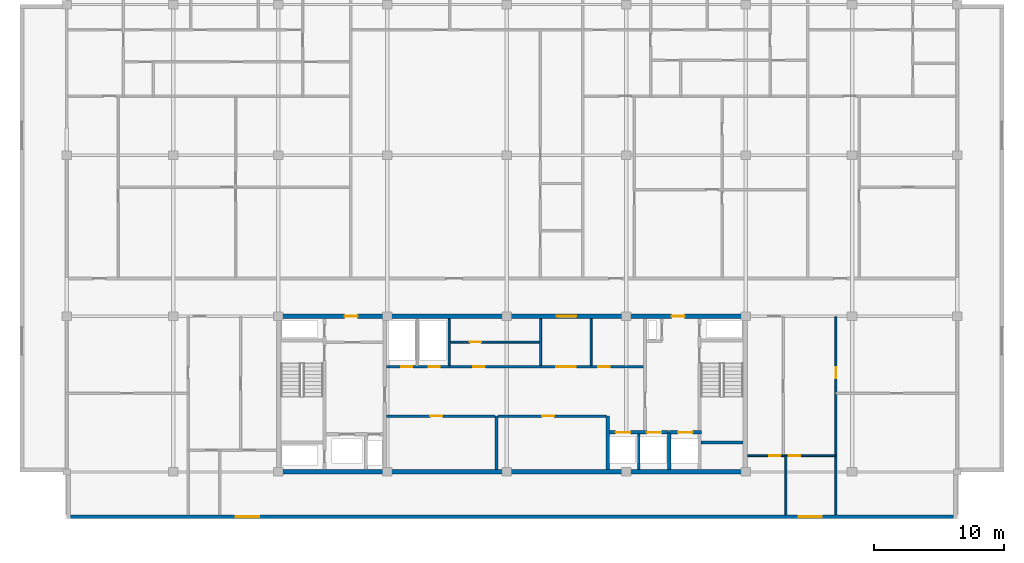
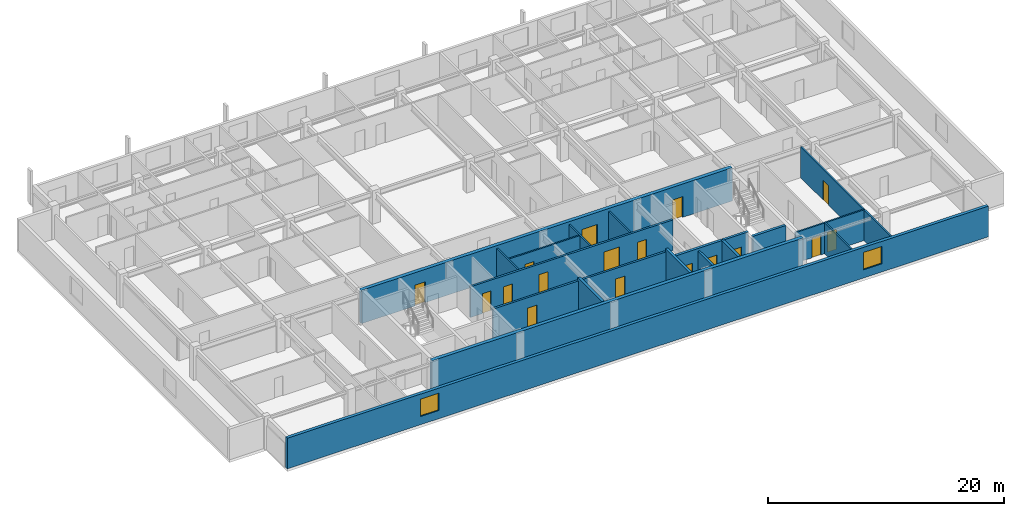
# One storey, part 4 of 10: 20 walls, 17 doors, 2 windows, 19 openings.
"""IFC4 building model written with IfcOpenShell, lengths in metres."""

from ifc_helpers import new_model, si_unit, direction, frame, frame_2d, origin, place, context, subcontext, project, spatial, rectangle, extrude, material, layer, layer_set, type_object, element, fill, save


model = new_model("IFC4")

# Units and contexts
model_context = context("Model", 3, precision=1e-05, world=origin(), true_north=direction((0.0, 1.0)))
body_context = subcontext(model_context, "Body", "Model", "MODEL_VIEW")
ifc_project = project(units=[si_unit("LENGTHUNIT", "METRE"), si_unit("AREAUNIT", "SQUARE_METRE"), si_unit("VOLUMEUNIT", "CUBIC_METRE"), si_unit("PLANEANGLEUNIT", "RADIAN"), si_unit("MASSUNIT", "GRAM", prefix="KILO")], contexts=[model_context])

# Site, building, storey
site_placement = place(None, origin())
site = spatial("IfcSite", under=ifc_project, at=site_placement, CompositionType="ELEMENT")
building_placement = place(site_placement, origin())
building = spatial("IfcBuilding", under=site, at=building_placement, Name="Korimba Cascade Residences", CompositionType="ELEMENT")
storey_placement = place(building_placement, frame((0.0, 0.0, 235.550048828125)))
storey = spatial("IfcBuildingStorey", under=building, at=storey_placement, Name="L68", CompositionType="ELEMENT", Elevation=235.550048828125)

# Wall, openings, windows
ifc_material_1 = material(Name="Precast concrete C40/50", Category="concrete")
ifc_layer_1 = layer(ifc_material_1, 0.300048828125)
ifc_layer_set_1 = layer_set([ifc_layer_1], Name="Precast concrete C40/50")
wall_type_1 = type_object("IfcWallType", Name="EW-STONE-300", PredefinedType="STANDARD", material=ifc_layer_set_1)
wall_1_placement = place(storey_placement, frame((59.800048828125, 51.75, 0.0), z_axis=(0.0, 0.0, 1.0), x_axis=(1.0, 0.0, 0.0)))
wall_1 = element("IfcWall", 1, at=wall_1_placement, inside=storey, type_object=wall_type_1, Name="L68 T1 Perimeter Stone Wall E00", PredefinedType="STANDARD", context=body_context, shape_type="SweptSolid", body=[
    extrude(rectangle(XDim=68.599853515625, YDim=0.300048828125, at=frame_2d((34.2998046875, 0.0))), origin(), (0.0, 0.0, 1.0), 3.169921875),
])
opening_1_placement = place(wall_1_placement, frame((13.02490234375, 0.0, 0.85009765625)))
opening_1 = element("IfcOpeningElement", 2, at=opening_1_placement, cuts=wall_1, Name="Opening W-02", PredefinedType="OPENING", context=body_context, shape_type="SweptSolid", body=[
    extrude(rectangle(XDim=1.800048828125, YDim=1.800048828125, at=frame_2d((0.89990234375, 0.89990234375))), frame((0.0, 0.16015625, 0.0), z_axis=(0.0, -1.0, 0.0), x_axis=(1.0, 0.0, 0.0)), (0.0, 0.0, 1.0), 0.320068359375),
])
opening_2_placement = place(wall_1_placement, frame((56.375, 0.0, 0.85009765625)))
opening_2 = element("IfcOpeningElement", 3, at=opening_2_placement, cuts=wall_1, Name="Opening W-02", PredefinedType="OPENING", context=body_context, shape_type="SweptSolid", body=[
    extrude(rectangle(XDim=1.800048828125, YDim=1.800048828125, at=frame_2d((0.89990234375, 0.89990234375))), frame((0.0, 0.16015625, 0.0), z_axis=(0.0, -1.0, 0.0), x_axis=(1.0, 0.0, 0.0)), (0.0, 0.0, 1.0), 0.320068359375),
])
ifc_material_2 = material(Name="Double-Glazed Aluminium Window", Category="aluminium")
window_type = type_object("IfcWindowType", Name="WIN-BED-1800", PartitioningType="SINGLE_PANEL", PredefinedType="WINDOW", material=ifc_material_2)
window_1_placement = place(opening_1_placement, origin())
window_1 = element("IfcWindow", 4, at=window_1_placement, inside=storey, type_object=window_type, Name="L68 T1 South Corner Bedroom Window 1", OverallHeight=1.800048828125, OverallWidth=1.800048828125, PartitioningType="SINGLE_PANEL", PredefinedType="WINDOW", context=body_context, shape_type="SweptSolid", body=[
    extrude(rectangle(XDim=1.800048828125, YDim=1.800048828125, at=frame_2d((0.89990234375, 0.89990234375))), frame((0.0, 0.030029296875, 0.0), z_axis=(0.0, -1.0, 0.0), x_axis=(1.0, 0.0, 0.0)), (0.0, 0.0, 1.0), 0.06005859375),
])
fill(opening_1, window_1)
window_2_placement = place(opening_2_placement, origin())
window_2 = element("IfcWindow", 5, at=window_2_placement, inside=storey, type_object=window_type, Name="L68 T1 South Corner Bedroom Window 2", OverallHeight=1.800048828125, OverallWidth=1.800048828125, PartitioningType="SINGLE_PANEL", PredefinedType="WINDOW", context=body_context, shape_type="SweptSolid", body=[
    extrude(rectangle(XDim=1.800048828125, YDim=1.800048828125, at=frame_2d((0.89990234375, 0.89990234375))), frame((0.0, 0.030029296875, 0.0), z_axis=(0.0, -1.0, 0.0), x_axis=(1.0, 0.0, 0.0)), (0.0, 0.0, 1.0), 0.06005859375),
])
fill(opening_2, window_2)

# Wall
ifc_material_3 = material(Name="Concrete C65/80", Category="concrete")
ifc_layer_2 = layer(ifc_material_3, 0.35009765625)
ifc_layer_set_2 = layer_set([ifc_layer_2], Name="Concrete C65/80")
wall_type_2 = type_object("IfcWallType", Name="WAL-CORE-350", PredefinedType="SHEAR", material=ifc_layer_set_2)
wall_2_placement = place(storey_placement, frame((75.949951171875, 55.199951171875, 0.0), z_axis=(0.0, 0.0, 1.0), x_axis=(1.0, 0.0, 0.0)))
element("IfcWall", 6, at=wall_2_placement, inside=storey, type_object=wall_type_2, Name="L68 Core Shear Wall CW-L68-T1-S", PredefinedType="SHEAR", context=body_context, shape_type="SweptSolid", body=[
    extrude(rectangle(XDim=36.300048828125, YDim=0.35009765625, at=frame_2d((18.14990234375, 0.0))), origin(), (0.0, 0.0, 1.0), 3.449951171875),
])

# Wall, openings, doors
wall_3_placement = place(storey_placement, frame((75.949951171875, 67.199951171875, 0.0), z_axis=(0.0, 0.0, 1.0), x_axis=(1.0, 0.0, 0.0)))
wall_3 = element("IfcWall", 7, at=wall_3_placement, inside=storey, type_object=wall_type_2, Name="L68 Core Shear Wall CW-L68-T1-N", PredefinedType="SHEAR", context=body_context, shape_type="SweptSolid", body=[
    extrude(rectangle(XDim=36.300048828125, YDim=0.35009765625, at=frame_2d((18.14990234375, 0.0))), origin(), (0.0, 0.0, 1.0), 3.449951171875),
])
opening_3_placement = place(wall_3_placement, frame((5.25, 0.0, 0.0)))
opening_3 = element("IfcOpeningElement", 8, at=opening_3_placement, cuts=wall_3, Name="Opening D-FD5", PredefinedType="OPENING", context=body_context, shape_type="SweptSolid", body=[
    extrude(rectangle(XDim=1.0, YDim=2.14990234375, at=frame_2d((0.5, 1.074951171875))), frame((0.0, 0.18505859375, 0.0), z_axis=(0.0, -1.0, 0.0), x_axis=(1.0, 0.0, 0.0)), (0.0, 0.0, 1.0), 0.3701171875),
])
opening_4_placement = place(wall_3_placement, frame((21.60009765625, 0.0, 0.0)))
opening_4 = element("IfcOpeningElement", 9, at=opening_4_placement, cuts=wall_3, Name="Opening D-FD8", PredefinedType="OPENING", context=body_context, shape_type="SweptSolid", body=[
    extrude(rectangle(XDim=1.5, YDim=2.199951171875, at=frame_2d((0.75, 1.10009765625))), frame((0.0, 0.18505859375, 0.0), z_axis=(0.0, -1.0, 0.0), x_axis=(1.0, 0.0, 0.0)), (0.0, 0.0, 1.0), 0.3701171875),
])
opening_5_placement = place(wall_3_placement, frame((30.449951171875, 0.0, 0.0)))
opening_5 = element("IfcOpeningElement", 10, at=opening_5_placement, cuts=wall_3, Name="Opening D-FD5", PredefinedType="OPENING", context=body_context, shape_type="SweptSolid", body=[
    extrude(rectangle(XDim=1.0, YDim=2.14990234375, at=frame_2d((0.5, 1.074951171875))), frame((0.0, 0.18505859375, 0.0), z_axis=(0.0, -1.0, 0.0), x_axis=(1.0, 0.0, 0.0)), (0.0, 0.0, 1.0), 0.3701171875),
])
ifc_material_4 = material(Name="Fire-Rated Acoustic Timber Vestibule Door", Category="wood")
door_type_1 = type_object("IfcDoorType", Name="DR-FD90-1000", OperationType="NOTDEFINED", PredefinedType="DOOR", material=ifc_material_4)
door_1_placement = place(opening_3_placement, origin())
door_1 = element("IfcDoor", 11, at=door_1_placement, inside=storey, type_object=door_type_1, Name="L68 T1 West Core Vestibule Fire Door", OperationType="SINGLE_SWING_RIGHT", OverallHeight=2.14990234375, OverallWidth=1.0, PredefinedType="DOOR", context=body_context, shape_type="SweptSolid", body=[
    extrude(rectangle(XDim=1.0, YDim=2.14990234375, at=frame_2d((0.5, 1.074951171875))), frame((0.0, 0.02490234375, 0.0), z_axis=(0.0, -1.0, 0.0), x_axis=(1.0, 0.0, 0.0)), (0.0, 0.0, 1.0), 0.050048828125),
])
fill(opening_3, door_1)
door_2_placement = place(opening_5_placement, origin())
door_2 = element("IfcDoor", 12, at=door_2_placement, inside=storey, type_object=door_type_1, Name="L68 T1 East Firefighting Vestibule Fire Door", OperationType="SINGLE_SWING_LEFT", OverallHeight=2.14990234375, OverallWidth=1.0, PredefinedType="DOOR", context=body_context, shape_type="SweptSolid", body=[
    extrude(rectangle(XDim=1.0, YDim=2.14990234375, at=frame_2d((0.5, 1.074951171875))), frame((0.0, 0.02490234375, 0.0), z_axis=(0.0, -1.0, 0.0), x_axis=(1.0, 0.0, 0.0)), (0.0, 0.0, 1.0), 0.050048828125),
])
fill(opening_5, door_2)
ifc_material_5 = material(Name="Fire-Rated Glazed Lift Lobby Double Door", Category="glass")
door_type_2 = type_object("IfcDoorType", Name="DR-FD90-1500", OperationType="NOTDEFINED", PredefinedType="DOOR", material=ifc_material_5)
door_3_placement = place(opening_4_placement, origin())
door_3 = element("IfcDoor", 13, at=door_3_placement, inside=storey, type_object=door_type_2, Name="L68 T1 Lift Lobby Fire Door", OperationType="DOUBLE_DOOR_SINGLE_SWING", OverallHeight=2.199951171875, OverallWidth=1.5, PredefinedType="DOOR", context=body_context, shape_type="SweptSolid", body=[
    extrude(rectangle(XDim=1.5, YDim=2.199951171875, at=frame_2d((0.75, 1.10009765625))), frame((0.0, 0.02490234375, 0.0), z_axis=(0.0, -1.0, 0.0), x_axis=(1.0, 0.0, 0.0)), (0.0, 0.0, 1.0), 0.050048828125),
])
fill(opening_4, door_3)

# Wall
ifc_material_6 = material(Name="Insulated Acoustic Stud Partition", Category="gypsum")
ifc_layer_3 = layer(ifc_material_6, 0.14990234375)
ifc_layer_set_3 = layer_set([ifc_layer_3], Name="Insulated Acoustic Stud Partition")
wall_type_3 = type_object("IfcWallType", Name="WAL-PART-150", PredefinedType="PARTITIONING", material=ifc_layer_set_3)
wall_4_placement = place(storey_placement, frame((89.25, 63.39990234375, 0.0), z_axis=(0.0, 0.0, 1.0), x_axis=(0.0, 1.0, 0.0)))
element("IfcWall", 14, at=wall_4_placement, inside=storey, type_object=wall_type_3, Name="L68 Partition Wall CW-L68-T1-PRDIV", PredefinedType="PARTITIONING", context=body_context, shape_type="SweptSolid", body=[
    extrude(rectangle(XDim=3.60009765625, YDim=0.14990234375, at=frame_2d((1.800048828125, 0.0))), origin(), (0.0, 0.0, 1.0), 3.169921875),
])

# Wall, opening, door
wall_5_placement = place(storey_placement, frame((89.25, 65.199951171875, 0.0), z_axis=(0.0, 0.0, 1.0), x_axis=(1.0, 0.0, 0.0)))
wall_5 = element("IfcWall", 15, at=wall_5_placement, inside=storey, type_object=wall_type_3, Name="L68 Partition Wall CW-L68-T1-CA2HZ", PredefinedType="PARTITIONING", context=body_context, shape_type="SweptSolid", body=[
    extrude(rectangle(XDim=7.050048828125, YDim=0.14990234375, at=frame_2d((3.52490234375, 0.0))), origin(), (0.0, 0.0, 1.0), 3.169921875),
])
opening_6_placement = place(wall_5_placement, frame((1.60009765625, 0.0, 0.0)))
opening_6 = element("IfcOpeningElement", 16, at=opening_6_placement, cuts=wall_5, Name="Opening D-IN2", PredefinedType="OPENING", context=body_context, shape_type="SweptSolid", body=[
    extrude(rectangle(XDim=0.8798828125, YDim=2.06005859375, at=frame_2d((0.43994140625, 1.030029296875))), frame((0.0, 0.0849609375, 0.0), z_axis=(0.0, -1.0, 0.0), x_axis=(1.0, 0.0, 0.0)), (0.0, 0.0, 1.0), 0.169921875),
])
ifc_material_7 = material(Name="Acoustic Timber Bedroom Door", Category="wood")
door_type_3 = type_object("IfcDoorType", Name="DR-INT-880", OperationType="NOTDEFINED", PredefinedType="DOOR", material=ifc_material_7)
door_4_placement = place(opening_6_placement, origin())
door_4 = element("IfcDoor", 17, at=door_4_placement, inside=storey, type_object=door_type_3, Name="L68 Pram Store Door", OperationType="SINGLE_SWING_RIGHT", OverallHeight=2.06005859375, OverallWidth=0.8798828125, PredefinedType="DOOR", context=body_context, shape_type="SweptSolid", body=[
    extrude(rectangle(XDim=0.8798828125, YDim=2.06005859375, at=frame_2d((0.43994140625, 1.030029296875))), frame((0.0, 0.02490234375, 0.0), z_axis=(0.0, -1.0, 0.0), x_axis=(1.0, 0.0, 0.0)), (0.0, 0.0, 1.0), 0.050048828125),
])
fill(opening_6, door_4)

# Walls
for number, where, z_axis, x_axis, name in (
    (18, (96.300048828125, 63.39990234375, 0.0), (0.0, 0.0, 1.0), (0.0, 1.0, 0.0), "L68 Partition Wall CW-L68-T1-THW"),
    (19, (100.199951171875, 63.39990234375, 0.0), (0.0, 0.0, 1.0), (0.0, 1.0, 0.0), "L68 Partition Wall CW-L68-T1-THE"),
):
    element("IfcWall", number, at=place(storey_placement, frame(where, z_axis=z_axis, x_axis=x_axis)), inside=storey, type_object=wall_type_3, Name=name, PredefinedType="PARTITIONING", context=body_context, shape_type="SweptSolid", body=[
        extrude(rectangle(XDim=3.60009765625, YDim=0.14990234375, at=frame_2d((1.800048828125, 0.0))), origin(), (0.0, 0.0, 1.0), 3.169921875),
    ])

# Wall, opening, door
wall_6_placement = place(storey_placement, frame((119.050048828125, 51.89990234375, 0.0), z_axis=(0.0, 0.0, 1.0), x_axis=(0.0, 1.0, 0.0)))
wall_6 = element("IfcWall", 20, at=wall_6_placement, inside=storey, type_object=wall_type_3, Name="L68 Partition Wall WAL-L68-T1-FE-STV", PredefinedType="PARTITIONING", context=body_context, shape_type="SweptSolid", body=[
    extrude(rectangle(XDim=15.25, YDim=0.14990234375, at=frame_2d((7.625, 0.0))), origin(), (0.0, 0.0, 1.0), 3.169921875),
])
opening_7_placement = place(wall_6_placement, frame((10.5, 0.0, 0.0)))
opening_7 = element("IfcOpeningElement", 21, at=opening_7_placement, cuts=wall_6, Name="Opening D-IN2", PredefinedType="OPENING", context=body_context, shape_type="SweptSolid", body=[
    extrude(rectangle(XDim=0.8798828125, YDim=2.06005859375, at=frame_2d((0.43994140625, 1.030029296875))), frame((0.0, 0.0849609375, 0.0), z_axis=(0.0, -1.0, 0.0), x_axis=(1.0, 0.0, 0.0)), (0.0, 0.0, 1.0), 0.169921875),
])
door_5_placement = place(opening_7_placement, origin())
door_5 = element("IfcDoor", 22, at=door_5_placement, inside=storey, type_object=door_type_3, Name="L68-T1-FE Study Door", OperationType="SINGLE_SWING_RIGHT", OverallHeight=2.06005859375, OverallWidth=0.8798828125, PredefinedType="DOOR", context=body_context, shape_type="SweptSolid", body=[
    extrude(rectangle(XDim=0.8798828125, YDim=2.06005859375, at=frame_2d((0.43994140625, 1.030029296875))), frame((0.0, 0.02490234375, 0.0), z_axis=(0.0, -1.0, 0.0), x_axis=(1.0, 0.0, 0.0)), (0.0, 0.0, 1.0), 0.050048828125),
])
fill(opening_7, door_5)

# Wall
wall_7_placement = place(storey_placement, frame((115.199951171875, 51.89990234375, 0.0), z_axis=(0.0, 0.0, 1.0), x_axis=(0.0, 1.0, 0.0)))
element("IfcWall", 23, at=wall_7_placement, inside=storey, type_object=wall_type_3, Name="L68 Partition Wall WAL-L68-T1-FE-VS", PredefinedType="PARTITIONING", context=body_context, shape_type="SweptSolid", body=[
    extrude(rectangle(XDim=4.550048828125, YDim=0.14990234375, at=frame_2d((2.27490234375, 0.0))), origin(), (0.0, 0.0, 1.0), 3.169921875),
])

# Wall, openings, doors
wall_8_placement = place(storey_placement, frame((112.27001953125, 56.449951171875, 0.0), z_axis=(0.0, 0.0, 1.0), x_axis=(1.0, 0.0, 0.0)))
wall_8 = element("IfcWall", 24, at=wall_8_placement, inside=storey, type_object=wall_type_3, Name="L68 Partition Wall WAL-L68-T1-FE-H", PredefinedType="PARTITIONING", context=body_context, shape_type="SweptSolid", body=[
    extrude(rectangle(XDim=6.760009765625, YDim=0.14990234375, at=frame_2d((3.3798828125, 0.0))), origin(), (0.0, 0.0, 1.0), 3.169921875),
])
opening_8_placement = place(wall_8_placement, frame((1.6396484375, 0.0, 0.0)))
opening_8 = element("IfcOpeningElement", 25, at=opening_8_placement, cuts=wall_8, Name="Opening D-BT1", PredefinedType="OPENING", context=body_context, shape_type="SweptSolid", body=[
    extrude(rectangle(XDim=0.840087890625, YDim=2.0400390625, at=frame_2d((0.419921875, 1.02001953125))), frame((0.0, 0.0849609375, 0.0), z_axis=(0.0, -1.0, 0.0), x_axis=(1.0, 0.0, 0.0)), (0.0, 0.0, 1.0), 0.169921875),
])
opening_9_placement = place(wall_8_placement, frame((3.160400390625, 0.0, 0.0)))
opening_9 = element("IfcOpeningElement", 26, at=opening_9_placement, cuts=wall_8, Name="Opening D-IN2", PredefinedType="OPENING", context=body_context, shape_type="SweptSolid", body=[
    extrude(rectangle(XDim=0.8798828125, YDim=2.06005859375, at=frame_2d((0.43994140625, 1.030029296875))), frame((0.0, 0.0849609375, 0.0), z_axis=(0.0, -1.0, 0.0), x_axis=(1.0, 0.0, 0.0)), (0.0, 0.0, 1.0), 0.169921875),
])
ifc_material_8 = material(Name="Moisture-Resistant Bathroom Timber Door", Category="wood")
door_type_4 = type_object("IfcDoorType", Name="DR-INT-850", OperationType="NOTDEFINED", PredefinedType="DOOR", material=ifc_material_8)
door_6_placement = place(opening_8_placement, origin())
door_6 = element("IfcDoor", 27, at=door_6_placement, inside=storey, type_object=door_type_4, Name="L68-T1-FE Bathroom Door", OperationType="SINGLE_SWING_RIGHT", OverallHeight=2.0400390625, OverallWidth=0.840087890625, PredefinedType="DOOR", context=body_context, shape_type="SweptSolid", body=[
    extrude(rectangle(XDim=0.840087890625, YDim=2.0400390625, at=frame_2d((0.419921875, 1.02001953125))), frame((0.0, 0.02490234375, 0.0), z_axis=(0.0, -1.0, 0.0), x_axis=(1.0, 0.0, 0.0)), (0.0, 0.0, 1.0), 0.050048828125),
])
fill(opening_8, door_6)
door_7_placement = place(opening_9_placement, origin())
door_7 = element("IfcDoor", 28, at=door_7_placement, inside=storey, type_object=door_type_3, Name="L68-T1-FE Bedroom Door", OperationType="SINGLE_SWING_LEFT", OverallHeight=2.06005859375, OverallWidth=0.8798828125, PredefinedType="DOOR", context=body_context, shape_type="SweptSolid", body=[
    extrude(rectangle(XDim=0.8798828125, YDim=2.06005859375, at=frame_2d((0.43994140625, 1.030029296875))), frame((0.0, 0.02490234375, 0.0), z_axis=(0.0, -1.0, 0.0), x_axis=(1.0, 0.0, 0.0)), (0.0, 0.0, 1.0), 0.050048828125),
])
fill(opening_9, door_7)

# Wall, opening, door
ifc_material_9 = material(Name="Concrete C40/50", Category="concrete")
ifc_layer_4 = layer(ifc_material_9, 0.199951171875)
ifc_layer_set_4 = layer_set([ifc_layer_4], Name="Concrete C40/50")
wall_type_4 = type_object("IfcWallType", Name="WAL-PART-200", PredefinedType="PARTITIONING", material=ifc_layer_set_4)
wall_9_placement = place(storey_placement, frame((84.419921875, 59.5, 0.0), z_axis=(0.0, 0.0, 1.0), x_axis=(1.0, 0.0, 0.0)))
wall_9 = element("IfcWall", 29, at=wall_9_placement, inside=storey, type_object=wall_type_4, Name="L68 Partition Wall CW-L68-T1-B1RN", PredefinedType="PARTITIONING", context=body_context, shape_type="SweptSolid", body=[
    extrude(rectangle(XDim=8.360107421875, YDim=0.199951171875, at=frame_2d((4.18017578125, 0.0))), origin(), (0.0, 0.0, 1.0), 3.169921875),
])
opening_10_placement = place(wall_9_placement, frame((3.39990234375, 0.0, 0.0)))
opening_10 = element("IfcOpeningElement", 30, at=opening_10_placement, cuts=wall_9, Name="Opening D-ST1", PredefinedType="OPENING", context=body_context, shape_type="SweptSolid", body=[
    extrude(rectangle(XDim=0.919921875, YDim=2.080078125, at=frame_2d((0.4599609375, 1.0400390625))), frame((0.0, 0.10986328125, 0.0), z_axis=(0.0, -1.0, 0.0), x_axis=(1.0, 0.0, 0.0)), (0.0, 0.0, 1.0), 0.219970703125),
])
ifc_material_10 = material(Name="Fire-Rated Core Store Door", Category="wood")
door_type_5 = type_object("IfcDoorType", Name="DR-FD60-920", OperationType="NOTDEFINED", PredefinedType="DOOR", material=ifc_material_10)
door_8_placement = place(opening_10_placement, origin())
door_8 = element("IfcDoor", 31, at=door_8_placement, inside=storey, type_object=door_type_5, Name="L68 Resident Storage Door", OperationType="SINGLE_SWING_RIGHT", OverallHeight=2.080078125, OverallWidth=0.919921875, PredefinedType="DOOR", context=body_context, shape_type="SweptSolid", body=[
    extrude(rectangle(XDim=0.919921875, YDim=2.080078125, at=frame_2d((0.4599609375, 1.0400390625))), frame((0.0, 0.02490234375, 0.0), z_axis=(0.0, -1.0, 0.0), x_axis=(1.0, 0.0, 0.0)), (0.0, 0.0, 1.0), 0.050048828125),
])
fill(opening_10, door_8)

wall_10_placement = place(storey_placement, frame((93.02001953125, 59.5, 0.0), z_axis=(0.0, 0.0, 1.0), x_axis=(1.0, 0.0, 0.0)))
wall_10 = element("IfcWall", 32, at=wall_10_placement, inside=storey, type_object=wall_type_4, Name="L68 Partition Wall CW-L68-T1-B2RN", PredefinedType="PARTITIONING", context=body_context, shape_type="SweptSolid", body=[
    extrude(rectangle(XDim=8.35986328125, YDim=0.199951171875, at=frame_2d((4.179931640625, 0.0))), origin(), (0.0, 0.0, 1.0), 3.169921875),
])
opening_11_placement = place(wall_10_placement, frame((3.39990234375, 0.0, 0.0)))
opening_11 = element("IfcOpeningElement", 33, at=opening_11_placement, cuts=wall_10, Name="Opening D-ST1", PredefinedType="OPENING", context=body_context, shape_type="SweptSolid", body=[
    extrude(rectangle(XDim=0.919921875, YDim=2.080078125, at=frame_2d((0.4599609375, 1.0400390625))), frame((0.0, 0.10986328125, 0.0), z_axis=(0.0, -1.0, 0.0), x_axis=(1.0, 0.0, 0.0)), (0.0, 0.0, 1.0), 0.219970703125),
])
door_9_placement = place(opening_11_placement, origin())
door_9 = element("IfcDoor", 34, at=door_9_placement, inside=storey, type_object=door_type_5, Name="L68 Wine Cellar Store Door", OperationType="SINGLE_SWING_LEFT", OverallHeight=2.080078125, OverallWidth=0.919921875, PredefinedType="DOOR", context=body_context, shape_type="SweptSolid", body=[
    extrude(rectangle(XDim=0.919921875, YDim=2.080078125, at=frame_2d((0.4599609375, 1.0400390625))), frame((0.0, 0.02490234375, 0.0), z_axis=(0.0, -1.0, 0.0), x_axis=(1.0, 0.0, 0.0)), (0.0, 0.0, 1.0), 0.050048828125),
])
fill(opening_11, door_9)

# Wall
wall_11_placement = place(storey_placement, frame((103.85009765625, 55.39990234375, 0.0), z_axis=(0.0, 0.0, 1.0), x_axis=(0.0, 1.0, 0.0)))
element("IfcWall", 35, at=wall_11_placement, inside=storey, type_object=wall_type_4, Name="L68 Partition Wall CW-L68-T1-B3D1", PredefinedType="PARTITIONING", context=body_context, shape_type="SweptSolid", body=[
    extrude(rectangle(XDim=2.72021484375, YDim=0.199951171875, at=frame_2d((1.360107421875, 0.0))), origin(), (0.0, 0.0, 1.0), 3.169921875),
])

# Wall, openings, doors
wall_12_placement = place(storey_placement, frame((84.419921875, 63.300048828125, 0.0), z_axis=(0.0, 0.0, 1.0), x_axis=(1.0, 0.0, 0.0)))
wall_12 = element("IfcWall", 36, at=wall_12_placement, inside=storey, type_object=wall_type_4, Name="L68 Partition Wall CW-L68-T1-SRVROW", PredefinedType="PARTITIONING", context=body_context, shape_type="SweptSolid", body=[
    extrude(rectangle(XDim=19.830078125, YDim=0.199951171875, at=frame_2d((9.9150390625, 0.0))), origin(), (0.0, 0.0, 1.0), 3.169921875),
])
opening_12_placement = place(wall_12_placement, frame((1.14990234375, 0.0, 0.0)))
opening_12 = element("IfcOpeningElement", 37, at=opening_12_placement, cuts=wall_12, Name="Opening D-RS1", PredefinedType="OPENING", context=body_context, shape_type="SweptSolid", body=[
    extrude(rectangle(XDim=0.85009765625, YDim=2.050048828125, at=frame_2d((0.425048828125, 1.02490234375))), frame((0.0, 0.10986328125, 0.0), z_axis=(0.0, -1.0, 0.0), x_axis=(1.0, 0.0, 0.0)), (0.0, 0.0, 1.0), 0.219970703125),
])
opening_13_placement = place(wall_12_placement, frame((3.25, 0.0, 0.0)))
opening_13 = element("IfcOpeningElement", 38, at=opening_13_placement, cuts=wall_12, Name="Opening D-RS1", PredefinedType="OPENING", context=body_context, shape_type="SweptSolid", body=[
    extrude(rectangle(XDim=0.85009765625, YDim=2.050048828125, at=frame_2d((0.425048828125, 1.02490234375))), frame((0.0, 0.10986328125, 0.0), z_axis=(0.0, -1.0, 0.0), x_axis=(1.0, 0.0, 0.0)), (0.0, 0.0, 1.0), 0.219970703125),
])
opening_14_placement = place(wall_12_placement, frame((13.080078125, 0.0, 0.0)))
opening_14 = element("IfcOpeningElement", 39, at=opening_14_placement, cuts=wall_12, Name="Opening D-FD8", PredefinedType="OPENING", context=body_context, shape_type="SweptSolid", body=[
    extrude(rectangle(XDim=1.5, YDim=2.199951171875, at=frame_2d((0.75, 1.10009765625))), frame((0.0, 0.10986328125, 0.0), z_axis=(0.0, -1.0, 0.0), x_axis=(1.0, 0.0, 0.0)), (0.0, 0.0, 1.0), 0.219970703125),
])
opening_15_placement = place(wall_12_placement, frame((6.679931640625, 0.0, 0.0)))
opening_15 = element("IfcOpeningElement", 40, at=opening_15_placement, cuts=wall_12, Name="Opening D-IN1", PredefinedType="OPENING", context=body_context, shape_type="SweptSolid", body=[
    extrude(rectangle(XDim=0.919921875, YDim=2.080078125, at=frame_2d((0.4599609375, 1.0400390625))), frame((0.0, 0.10986328125, 0.0), z_axis=(0.0, -1.0, 0.0), x_axis=(1.0, 0.0, 0.0)), (0.0, 0.0, 1.0), 0.219970703125),
])
opening_16_placement = place(wall_12_placement, frame((16.330078125, 0.0, 0.0)))
opening_16 = element("IfcOpeningElement", 41, at=opening_16_placement, cuts=wall_12, Name="Opening D-IN2", PredefinedType="OPENING", context=body_context, shape_type="SweptSolid", body=[
    extrude(rectangle(XDim=0.8798828125, YDim=2.06005859375, at=frame_2d((0.43994140625, 1.030029296875))), frame((0.0, 0.10986328125, 0.0), z_axis=(0.0, -1.0, 0.0), x_axis=(1.0, 0.0, 0.0)), (0.0, 0.0, 1.0), 0.219970703125),
])
ifc_material_11 = material(Name="Fire-Rated Steel Riser Access Door", Category="steel")
door_type_6 = type_object("IfcDoorType", Name="DR-FD60-850", OperationType="NOTDEFINED", PredefinedType="DOOR", material=ifc_material_11)
door_10_placement = place(opening_12_placement, origin())
door_10 = element("IfcDoor", 42, at=door_10_placement, inside=storey, type_object=door_type_6, Name="L68 Electrical Riser Door", OperationType="SINGLE_SWING_LEFT", OverallHeight=2.050048828125, OverallWidth=0.85009765625, PredefinedType="DOOR", context=body_context, shape_type="SweptSolid", body=[
    extrude(rectangle(XDim=0.85009765625, YDim=2.050048828125, at=frame_2d((0.425048828125, 1.02490234375))), frame((0.0, 0.02490234375, 0.0), z_axis=(0.0, -1.0, 0.0), x_axis=(1.0, 0.0, 0.0)), (0.0, 0.0, 1.0), 0.050048828125),
])
fill(opening_12, door_10)
door_11_placement = place(opening_13_placement, origin())
door_11 = element("IfcDoor", 43, at=door_11_placement, inside=storey, type_object=door_type_6, Name="L68 Plumbing Riser Door", OperationType="SINGLE_SWING_RIGHT", OverallHeight=2.050048828125, OverallWidth=0.85009765625, PredefinedType="DOOR", context=body_context, shape_type="SweptSolid", body=[
    extrude(rectangle(XDim=0.85009765625, YDim=2.050048828125, at=frame_2d((0.425048828125, 1.02490234375))), frame((0.0, 0.02490234375, 0.0), z_axis=(0.0, -1.0, 0.0), x_axis=(1.0, 0.0, 0.0)), (0.0, 0.0, 1.0), 0.050048828125),
])
fill(opening_13, door_11)
door_12_placement = place(opening_14_placement, origin())
door_12 = element("IfcDoor", 44, at=door_12_placement, inside=storey, type_object=door_type_2, Name="L68 Lift Lobby Foyer Archway Door", OperationType="DOUBLE_DOOR_SINGLE_SWING", OverallHeight=2.199951171875, OverallWidth=1.5, PredefinedType="DOOR", context=body_context, shape_type="SweptSolid", body=[
    extrude(rectangle(XDim=1.5, YDim=2.199951171875, at=frame_2d((0.75, 1.10009765625))), frame((0.0, 0.02490234375, 0.0), z_axis=(0.0, -1.0, 0.0), x_axis=(1.0, 0.0, 0.0)), (0.0, 0.0, 1.0), 0.050048828125),
])
fill(opening_14, door_12)
door_13_placement = place(opening_16_placement, origin())
door_13 = element("IfcDoor", 45, at=door_13_placement, inside=storey, type_object=door_type_3, Name="L68 Staff WC Door", OperationType="SINGLE_SWING_RIGHT", OverallHeight=2.06005859375, OverallWidth=0.8798828125, PredefinedType="DOOR", context=body_context, shape_type="SweptSolid", body=[
    extrude(rectangle(XDim=0.8798828125, YDim=2.06005859375, at=frame_2d((0.43994140625, 1.030029296875))), frame((0.0, 0.02490234375, 0.0), z_axis=(0.0, -1.0, 0.0), x_axis=(1.0, 0.0, 0.0)), (0.0, 0.0, 1.0), 0.050048828125),
])
fill(opening_16, door_13)
ifc_material_12 = material(Name="Acoustic Timber Living Door", Category="wood")
door_type_7 = type_object("IfcDoorType", Name="DR-INT-920", OperationType="NOTDEFINED", PredefinedType="DOOR", material=ifc_material_12)
door_14_placement = place(opening_15_placement, origin())
door_14 = element("IfcDoor", 46, at=door_14_placement, inside=storey, type_object=door_type_7, Name="L68 Locker Room Door", OperationType="SINGLE_SWING_LEFT", OverallHeight=2.080078125, OverallWidth=0.919921875, PredefinedType="DOOR", context=body_context, shape_type="SweptSolid", body=[
    extrude(rectangle(XDim=0.919921875, YDim=2.080078125, at=frame_2d((0.4599609375, 1.0400390625))), frame((0.0, 0.02490234375, 0.0), z_axis=(0.0, -1.0, 0.0), x_axis=(1.0, 0.0, 0.0)), (0.0, 0.0, 1.0), 0.050048828125),
])
fill(opening_15, door_14)

# Walls
ifc_material_13 = material(Name="Concrete C50/60", Category="concrete")
ifc_layer_5 = layer(ifc_material_13, 0.25)
ifc_layer_set_5 = layer_set([ifc_layer_5], Name="Concrete C50/60")
wall_type_5 = type_object("IfcWallType", Name="WAL-SHAFT-250", PredefinedType="SHEAR", material=ifc_layer_set_5)
for number, where, z_axis, x_axis, name in (
    (47, (92.89990234375, 55.39990234375, 0.0), (0.0, 0.0, 1.0), (0.0, 1.0, 0.0), "L68 Core Shear Wall CW-L68-T1-B12DIV"),
    (48, (101.47998046875, 55.39990234375, 0.0), (0.0, 0.0, 1.0), (0.0, 1.0, 0.0), "L68 Core Shear Wall CW-L68-T1-B23DIV"),
):
    element("IfcWall", number, at=place(storey_placement, frame(where, z_axis=z_axis, x_axis=x_axis)), inside=storey, type_object=wall_type_5, Name=name, PredefinedType="SHEAR", context=body_context, shape_type="SweptSolid", body=[
        extrude(rectangle(XDim=4.10009765625, YDim=0.25, at=frame_2d((2.050048828125, 0.0))), origin(), (0.0, 0.0, 1.0), 3.449951171875),
    ])

# Wall, openings, doors
wall_13_placement = place(storey_placement, frame((101.550048828125, 58.25, 0.0), z_axis=(0.0, 0.0, 1.0), x_axis=(1.0, 0.0, 0.0)))
wall_13 = element("IfcWall", 49, at=wall_13_placement, inside=storey, type_object=wall_type_5, Name="L68 Core Shear Wall CW-L68-T1-B3N", PredefinedType="SHEAR", context=body_context, shape_type="SweptSolid", body=[
    extrude(rectangle(XDim=4.599853515625, YDim=0.25, at=frame_2d((2.2998046875, 0.0))), origin(), (0.0, 0.0, 1.0), 3.449951171875),
])
opening_17_placement = place(wall_13_placement, frame((0.5400390625, 0.0, 0.0)))
opening_17 = element("IfcOpeningElement", 50, at=opening_17_placement, cuts=wall_13, Name="Opening LD-01", PredefinedType="OPENING", context=body_context, shape_type="SweptSolid", body=[
    extrude(rectangle(XDim=1.1201171875, YDim=2.1201171875, at=frame_2d((0.56005859375, 1.06005859375))), frame((0.0, 0.135009765625, 0.0), z_axis=(0.0, -1.0, 0.0), x_axis=(1.0, 0.0, 0.0)), (0.0, 0.0, 1.0), 0.27001953125),
])
opening_18_placement = place(wall_13_placement, frame((2.93994140625, 0.0, 0.0)))
opening_18 = element("IfcOpeningElement", 51, at=opening_18_placement, cuts=wall_13, Name="Opening LD-01", PredefinedType="OPENING", context=body_context, shape_type="SweptSolid", body=[
    extrude(rectangle(XDim=1.1201171875, YDim=2.1201171875, at=frame_2d((0.56005859375, 1.06005859375))), frame((0.0, 0.135009765625, 0.0), z_axis=(0.0, -1.0, 0.0), x_axis=(1.0, 0.0, 0.0)), (0.0, 0.0, 1.0), 0.27001953125),
])
ifc_material_14 = material(Name="Stainless Steel Lift Landing Sliding Door", Category="steel")
door_type_8 = type_object("IfcDoorType", Name="DR-LIFT-1100", OperationType="NOTDEFINED", PredefinedType="DOOR", material=ifc_material_14)
door_15_placement = place(opening_17_placement, origin())
door_15 = element("IfcDoor", 52, at=door_15_placement, inside=storey, type_object=door_type_8, Name="L68 Lift Landing Door PL-W7", OperationType="SLIDING_TO_LEFT", OverallHeight=2.1201171875, OverallWidth=1.1201171875, PredefinedType="DOOR", context=body_context, shape_type="SweptSolid", body=[
    extrude(rectangle(XDim=1.1201171875, YDim=2.1201171875, at=frame_2d((0.56005859375, 1.06005859375))), frame((0.0, 0.02490234375, 0.0), z_axis=(0.0, -1.0, 0.0), x_axis=(1.0, 0.0, 0.0)), (0.0, 0.0, 1.0), 0.050048828125),
])
fill(opening_17, door_15)
door_16_placement = place(opening_18_placement, origin())
door_16 = element("IfcDoor", 53, at=door_16_placement, inside=storey, type_object=door_type_8, Name="L68 Lift Landing Door PL-W8", OperationType="SLIDING_TO_LEFT", OverallHeight=2.1201171875, OverallWidth=1.1201171875, PredefinedType="DOOR", context=body_context, shape_type="SweptSolid", body=[
    extrude(rectangle(XDim=1.1201171875, YDim=2.1201171875, at=frame_2d((0.56005859375, 1.06005859375))), frame((0.0, 0.02490234375, 0.0), z_axis=(0.0, -1.0, 0.0), x_axis=(1.0, 0.0, 0.0)), (0.0, 0.0, 1.0), 0.050048828125),
])
fill(opening_18, door_16)

# Wall
wall_14_placement = place(storey_placement, frame((106.219970703125, 55.39990234375, 0.0), z_axis=(0.0, 0.0, 1.0), x_axis=(0.0, 1.0, 0.0)))
element("IfcWall", 54, at=wall_14_placement, inside=storey, type_object=wall_type_5, Name="L68 Core Shear Wall CW-L68-T1-FF2W", PredefinedType="SHEAR", context=body_context, shape_type="SweptSolid", body=[
    extrude(rectangle(XDim=2.85009765625, YDim=0.25, at=frame_2d((1.425048828125, 0.0))), origin(), (0.0, 0.0, 1.0), 3.449951171875),
])

# Wall, opening, door
wall_15_placement = place(storey_placement, frame((106.219970703125, 58.25, 0.0), z_axis=(0.0, 0.0, 1.0), x_axis=(1.0, 0.0, 0.0)))
wall_15 = element("IfcWall", 55, at=wall_15_placement, inside=storey, type_object=wall_type_5, Name="L68 Core Shear Wall CW-L68-T1-FF2N", PredefinedType="SHEAR", context=body_context, shape_type="SweptSolid", body=[
    extrude(rectangle(XDim=2.4599609375, YDim=0.25, at=frame_2d((1.22998046875, 0.0))), origin(), (0.0, 0.0, 1.0), 3.449951171875),
])
opening_19_placement = place(wall_15_placement, frame((0.669921875, 0.0, 0.0)))
opening_19 = element("IfcOpeningElement", 56, at=opening_19_placement, cuts=wall_15, Name="Opening LD-01", PredefinedType="OPENING", context=body_context, shape_type="SweptSolid", body=[
    extrude(rectangle(XDim=1.1201171875, YDim=2.1201171875, at=frame_2d((0.56005859375, 1.06005859375))), frame((0.0, 0.135009765625, 0.0), z_axis=(0.0, -1.0, 0.0), x_axis=(1.0, 0.0, 0.0)), (0.0, 0.0, 1.0), 0.27001953125),
])
door_17_placement = place(opening_19_placement, origin())
door_17 = element("IfcDoor", 57, at=door_17_placement, inside=storey, type_object=door_type_8, Name="L68 Firefighting Lift Landing Door FFL-W2", OperationType="SLIDING_TO_RIGHT", OverallHeight=2.1201171875, OverallWidth=1.1201171875, PredefinedType="DOOR", context=body_context, shape_type="SweptSolid", body=[
    extrude(rectangle(XDim=1.1201171875, YDim=2.1201171875, at=frame_2d((0.56005859375, 1.06005859375))), frame((0.0, 0.02490234375, 0.0), z_axis=(0.0, -1.0, 0.0), x_axis=(1.0, 0.0, 0.0)), (0.0, 0.0, 1.0), 0.050048828125),
])
fill(opening_19, door_17)

# Wall
wall_16_placement = place(storey_placement, frame((108.659912109375, 57.47509765625, 0.0), z_axis=(0.0, 0.0, 1.0), x_axis=(1.0, 0.0, 0.0)))
element("IfcWall", 58, at=wall_16_placement, inside=storey, type_object=wall_type_5, Name="L68 Core Shear Wall CW-L68-T1-STW2S", PredefinedType="SHEAR", context=body_context, shape_type="SweptSolid", body=[
    extrude(rectangle(XDim=3.239990234375, YDim=0.25, at=frame_2d((1.6201171875, 0.0))), origin(), (0.0, 0.0, 1.0), 3.449951171875),
])

save(model, "model.ifc")
